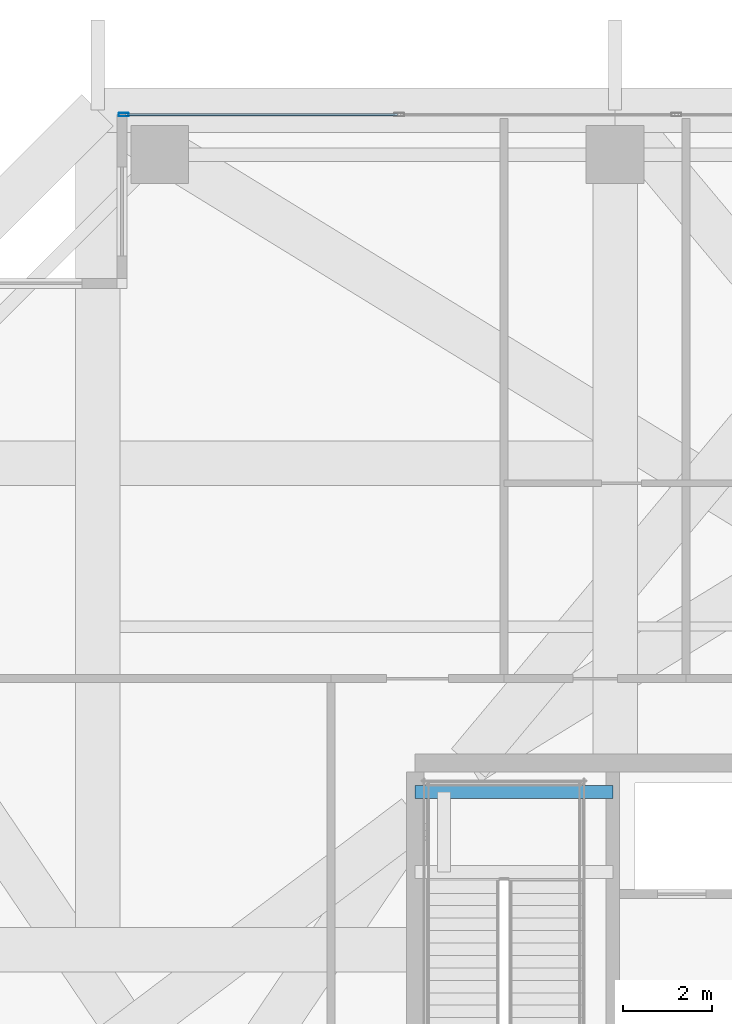
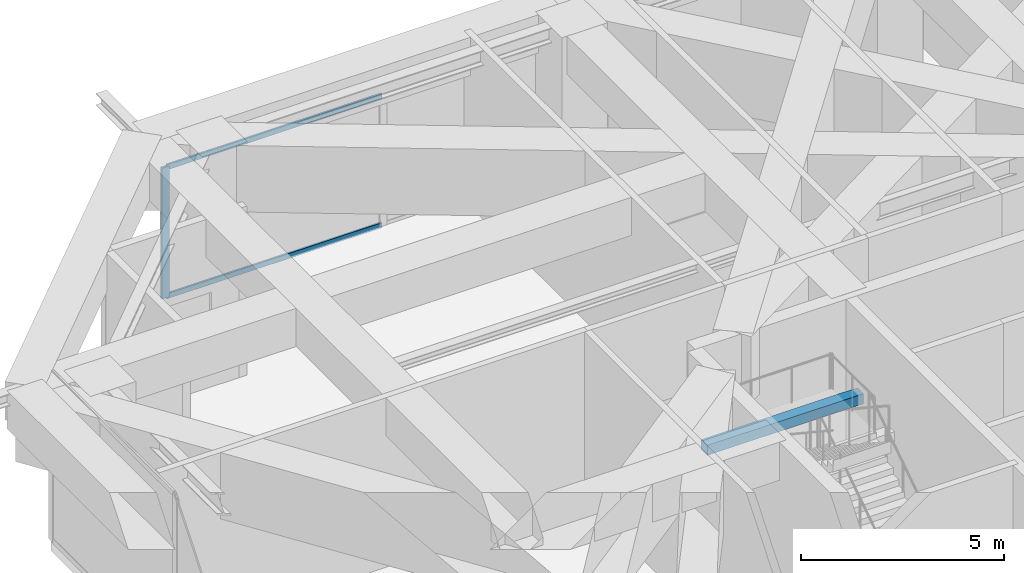
# One storey, part 20 of 38: 3 members, 1 beam, 1 element without a shape of its own.
"""IFC4 building model written with IfcOpenShell, lengths in metres."""

from ifc_helpers import new_model, si_unit, direction, frame, origin, origin_2d, place, context, subcontext, project, spatial, rectangle, hollow_rectangle, extrude, source, transform, mapped, material, layer, layer_set, material_profile, profile_set, type_object, element, aggregate, save


model = new_model("IFC4")

# Units and contexts
model_context = context("Model", 3, precision=1e-05, world=origin(), true_north=direction((0.0, 1.0)))
body_context = subcontext(model_context, "Body", "Model", "MODEL_VIEW")
ifc_project = project(units=[si_unit("LENGTHUNIT", "METRE"), si_unit("AREAUNIT", "SQUARE_METRE"), si_unit("VOLUMEUNIT", "CUBIC_METRE"), si_unit("PLANEANGLEUNIT", "RADIAN"), si_unit("MASSUNIT", "GRAM", prefix="KILO")], contexts=[model_context])

# Site, building, storey
site_placement = place(None, origin())
site = spatial("IfcSite", under=ifc_project, at=site_placement, CompositionType="ELEMENT")
building_placement = place(site_placement, origin())
building = spatial("IfcBuilding", under=site, at=building_placement, Name="Serunith Strait Residences", CompositionType="ELEMENT")
storey_placement = place(building_placement, frame((0.0, 0.0, 204.89990234375)))
storey = spatial("IfcBuildingStorey", under=building, at=storey_placement, Name="L51", CompositionType="ELEMENT", Elevation=204.89990234375)

# Beam
ifc_material_1 = material(Name="Concrete C60/75", Category="concrete")
ifc_material_profile_1 = material_profile(ifc_material_1, rectangle(XDim=0.300048828125, YDim=0.300048828125, at=origin_2d()), Name="RC 300x300")
ifc_profile_set_1 = profile_set([ifc_material_profile_1], Name="Concrete C60/75")
beam_type = type_object("IfcBeamType", Name="BM-LAND-300x300", PredefinedType="BEAM", material=ifc_profile_set_1)
shared_shape_1 = source(origin(), body_context, "Body", "SweptSolid", [
    extrude(rectangle(XDim=0.300048828125, YDim=0.300048828125, at=origin_2d()), origin(), (0.0, 0.0, 1.0), 4.4501953125),
])
beam_placement = place(storey_placement, frame((23.39990234375, 32.949951171875, 2.425048828125), z_axis=(1.0, 0.0, 0.0), x_axis=(0.0, 1.0, 0.0)))
element("IfcBeam", 1, at=beam_placement, inside=storey, type_object=beam_type, Name="L51 ST-1 Landing Support Beam 2", PredefinedType="BEAM", context=body_context, shape_type="MappedRepresentation", body=[
    mapped(shared_shape_1, transform((0.0, 0.0, 0.0), scale=1.0)),
])

# Curtain wall, members
ifc_material_2 = material(Name="Pale-Silver PVDF Aluminium", Category="aluminium")
ifc_layer = layer(ifc_material_2, 0.199951171875, Name="Pale-Silver PVDF Aluminium")
ifc_layer_set = layer_set([ifc_layer], Name="Pale-Silver PVDF Aluminium")
curtain_wall_type = type_object("IfcCurtainWallType", Name="CW-SYS3", PredefinedType="NOTDEFINED", material=ifc_layer_set)
curtain_wall_placement = place(storey_placement, origin())
curtain_wall = element("IfcCurtainWall", 2, at=curtain_wall_placement, inside=storey, type_object=curtain_wall_type, Name="L51 N Unitised Fritted Curtain Wall", PredefinedType="NOTDEFINED")
ifc_material_profile_2 = material_profile(ifc_material_2, hollow_rectangle(XDim=0.074951171875, YDim=0.219970703125, WallThickness=0.00390625, InnerFilletRadius=0.006103515625, OuterFilletRadius=0.010009765625, at=origin_2d()), Name="ALU 220x75x4")
ifc_profile_set_2 = profile_set([ifc_material_profile_2], Name="Pale-Silver PVDF Aluminium")
member_type_1 = type_object("IfcMemberType", Name="CW-SYS3-MULL", PredefinedType="MULLION", material=ifc_profile_set_2)
shared_shape_2 = source(origin(), body_context, "Body", "SweptSolid", [
    extrude(hollow_rectangle(XDim=0.074951171875, YDim=0.219970703125, WallThickness=0.00390625, InnerFilletRadius=0.006103515625, OuterFilletRadius=0.010009765625, at=origin_2d()), origin(), (0.0, 0.0, 1.0), 3.945068359375),
])
member_1_placement = place(storey_placement, frame((16.83740234375, 48.199951171875, 0.0), z_axis=(0.0, 0.0, 1.0), x_axis=(0.0, -1.0, 0.0)))
member_1 = element("IfcMember", 3, at=member_1_placement, type_object=member_type_1, Name="CW-3 mullion 6", PredefinedType="MULLION", context=body_context, shape_type="MappedRepresentation", body=[
    mapped(shared_shape_2, transform((0.0, 0.0, 0.0), scale=1.0)),
])
ifc_material_profile_3 = material_profile(ifc_material_2, hollow_rectangle(XDim=0.06005859375, YDim=0.159912109375, WallThickness=0.00341796875, InnerFilletRadius=0.00537109375, OuterFilletRadius=0.0087890625, at=origin_2d()), Name="ALU 160x60x3.5")
ifc_profile_set_3 = profile_set([ifc_material_profile_3], Name="Pale-Silver PVDF Aluminium")
member_type_2 = type_object("IfcMemberType", Name="CW-SYS3-TRAN", PredefinedType="USERDEFINED", material=ifc_profile_set_3)
shared_shape_3 = source(origin(), body_context, "Body", "SweptSolid", [
    extrude(hollow_rectangle(XDim=0.06005859375, YDim=0.159912109375, WallThickness=0.00341796875, InnerFilletRadius=0.00537109375, OuterFilletRadius=0.0087890625, at=origin_2d()), origin(), (0.0, 0.0, 1.0), 6.12744140625),
])
member_2_placement = place(storey_placement, frame((23.00244140625, 48.199951171875, 0.030029296875), z_axis=(-1.0, 0.0, 0.0), x_axis=(0.0, -1.0, 0.0)))
member_2 = element("IfcMember", 4, at=member_2_placement, type_object=member_type_2, Name="CW-3 transom 5.1", ObjectType="TRANSOM", PredefinedType="USERDEFINED", context=body_context, shape_type="MappedRepresentation", body=[
    mapped(shared_shape_3, transform((0.0, 0.0, 0.0), scale=1.0)),
])
member_3_placement = place(storey_placement, frame((23.00244140625, 48.199951171875, 3.9150390625), z_axis=(-1.0, 0.0, 0.0), x_axis=(0.0, -1.0, 0.0)))
member_3 = element("IfcMember", 5, at=member_3_placement, type_object=member_type_2, Name="CW-3 transom 5.2", ObjectType="TRANSOM", PredefinedType="USERDEFINED", context=body_context, shape_type="MappedRepresentation", body=[
    mapped(shared_shape_3, transform((0.0, 0.0, 0.0), scale=1.0)),
])
aggregate(curtain_wall, [member_1, member_2, member_3])

save(model, "model.ifc")
